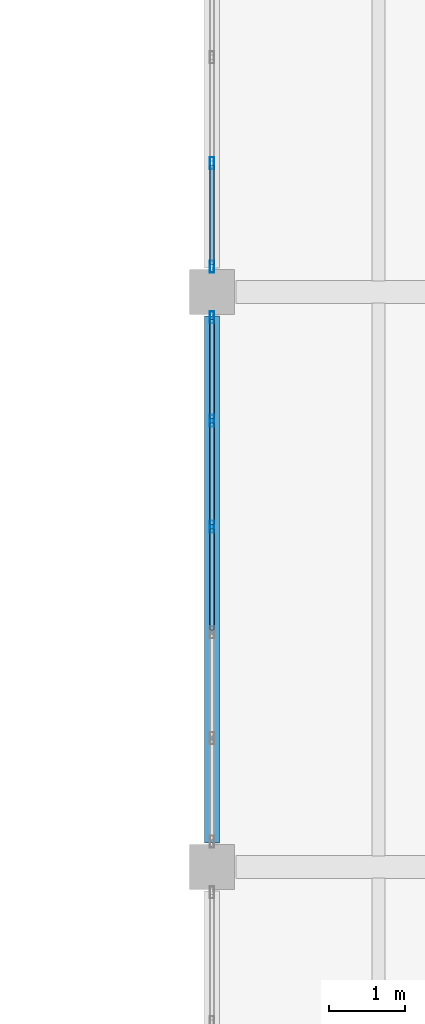
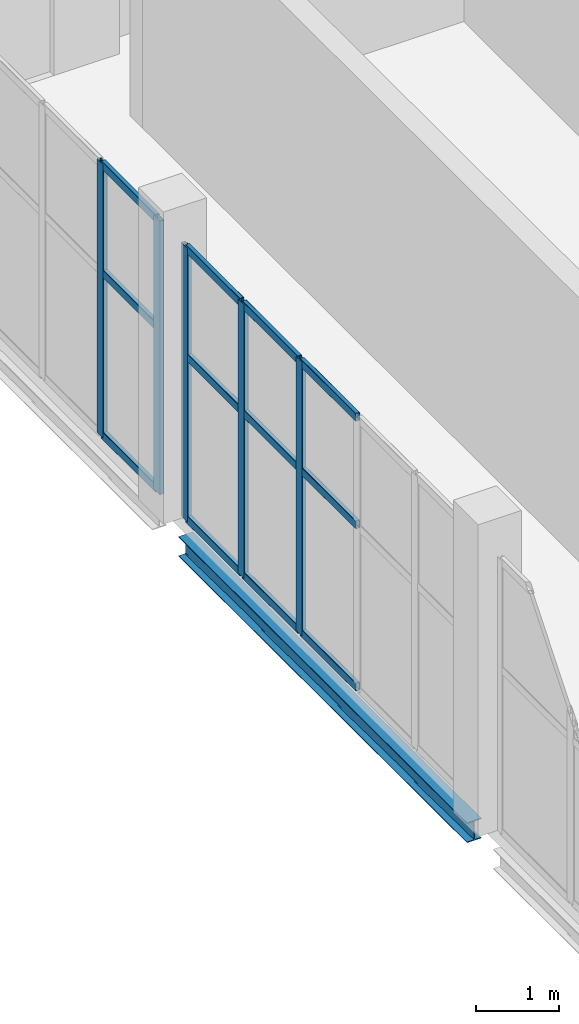
# One storey, part 74 of 136: 17 members, 1 beam, 2 elements without a shape of their own.
"""IFC4 building model written with IfcOpenShell, lengths in metres."""

from ifc_helpers import new_model, si_unit, direction, frame, origin, origin_2d, place, context, subcontext, project, spatial, hollow_rectangle, i_section, extrude, material, material_profile, profile_set, type_object, element, aggregate, save


model = new_model("IFC4")

# Units and contexts
model_context = context("Model", 3, precision=1e-05, world=origin(), true_north=direction((0.0, 1.0)))
body_context = subcontext(model_context, "Body", "Model", "MODEL_VIEW")
ifc_project = project(units=[si_unit("LENGTHUNIT", "METRE"), si_unit("AREAUNIT", "SQUARE_METRE"), si_unit("VOLUMEUNIT", "CUBIC_METRE"), si_unit("PLANEANGLEUNIT", "RADIAN"), si_unit("MASSUNIT", "GRAM", prefix="KILO")], contexts=[model_context])

# Site, building, storey
site_placement = place(None, origin())
site = spatial("IfcSite", under=ifc_project, at=site_placement, CompositionType="ELEMENT")
building_placement = place(site_placement, origin())
building = spatial("IfcBuilding", under=site, at=building_placement, Name="Shengluoqiao Park Theatre", CompositionType="ELEMENT")
storey_placement = place(building_placement, frame((0.0, 0.0, 10.0)))
storey = spatial("IfcBuildingStorey", under=building, at=storey_placement, Name="L02", CompositionType="ELEMENT", Elevation=10.0)

# Curtain wall, members
ifc_material_1 = material(Name="Aluminium 6063-T6", Category="aluminium")
curtain_wall_type = type_object("IfcCurtainWallType", Name="ENV-CW-COURT", PredefinedType="NOTDEFINED", material=ifc_material_1)
curtain_wall_1_placement = place(storey_placement, origin())
curtain_wall_1 = element("IfcCurtainWall", 1, at=curtain_wall_1_placement, inside=storey, type_object=curtain_wall_type, Name="L02 Curtain Wall CWX-L02-0194", PredefinedType="NOTDEFINED")
ifc_material_profile_1 = material_profile(ifc_material_1, hollow_rectangle(XDim=0.06005859375, YDim=0.159912109375, WallThickness=0.00390625, InnerFilletRadius=0.00390625, OuterFilletRadius=0.008056640625, at=origin_2d()), Name="ALU MULLION 160x60x4")
ifc_profile_set_1 = profile_set([ifc_material_profile_1], Name="Aluminium 6063-T6")
member_type_1 = type_object("IfcMemberType", Name="ENV-MUL-160", PredefinedType="MULLION", material=ifc_profile_set_1)
member_1_placement = place(storey_placement, frame((157.199951171875, 42.499267578125, 0.0), z_axis=(0.0, 0.0, 1.0), x_axis=(-1.0, 0.0, 0.0)))
member_1 = element("IfcMember", 2, at=member_1_placement, type_object=member_type_1, Name="CW-05 mullion 4", PredefinedType="MULLION", context=body_context, shape_type="SweptSolid", body=[
    extrude(hollow_rectangle(XDim=0.06005859375, YDim=0.159912109375, WallThickness=0.00390625, InnerFilletRadius=0.00390625, OuterFilletRadius=0.008056640625, at=origin_2d()), origin(), (0.0, 0.0, 1.0), 4.033935546875),
])
member_2_placement = place(storey_placement, frame((157.199951171875, 43.897705078125, 0.0), z_axis=(0.0, 0.0, 1.0), x_axis=(-1.0, 0.0, 0.0)))
member_2 = element("IfcMember", 3, at=member_2_placement, type_object=member_type_1, Name="CW-05 mullion 5", PredefinedType="MULLION", context=body_context, shape_type="SweptSolid", body=[
    extrude(hollow_rectangle(XDim=0.06005859375, YDim=0.159912109375, WallThickness=0.00390625, InnerFilletRadius=0.00390625, OuterFilletRadius=0.008056640625, at=origin_2d()), origin(), (0.0, 0.0, 1.0), 4.033935546875),
])
member_3_placement = place(storey_placement, frame((157.199951171875, 45.26611328125, 0.0), z_axis=(0.0, 0.0, 1.0), x_axis=(-1.0, 0.0, 0.0)))
member_3 = element("IfcMember", 4, at=member_3_placement, type_object=member_type_1, Name="CW-05 mullion 6", PredefinedType="MULLION", context=body_context, shape_type="SweptSolid", body=[
    extrude(hollow_rectangle(XDim=0.06005859375, YDim=0.159912109375, WallThickness=0.00390625, InnerFilletRadius=0.00390625, OuterFilletRadius=0.008056640625, at=origin_2d()), origin(), (0.0, 0.0, 1.0), 4.033935546875),
])

curtain_wall_2_placement = place(storey_placement, origin())
curtain_wall_2 = element("IfcCurtainWall", 5, at=curtain_wall_2_placement, inside=storey, type_object=curtain_wall_type, Name="L02 Curtain Wall CWX-L02-0195", PredefinedType="NOTDEFINED")
member_4_placement = place(storey_placement, frame((157.199951171875, 45.93408203125, 0.0), z_axis=(0.0, 0.0, 1.0), x_axis=(-1.0, 0.0, 0.0)))
member_4 = element("IfcMember", 6, at=member_4_placement, type_object=member_type_1, Name="CW-05 mullion 1", PredefinedType="MULLION", context=body_context, shape_type="SweptSolid", body=[
    extrude(hollow_rectangle(XDim=0.06005859375, YDim=0.159912109375, WallThickness=0.00390625, InnerFilletRadius=0.00390625, OuterFilletRadius=0.008056640625, at=origin_2d()), origin(), (0.0, 0.0, 1.0), 4.033935546875),
])
member_5_placement = place(storey_placement, frame((157.199951171875, 47.302490234375, 0.0), z_axis=(0.0, 0.0, 1.0), x_axis=(-1.0, 0.0, 0.0)))
member_5 = element("IfcMember", 7, at=member_5_placement, type_object=member_type_1, Name="CW-05 mullion 2", PredefinedType="MULLION", context=body_context, shape_type="SweptSolid", body=[
    extrude(hollow_rectangle(XDim=0.06005859375, YDim=0.159912109375, WallThickness=0.00390625, InnerFilletRadius=0.00390625, OuterFilletRadius=0.008056640625, at=origin_2d()), origin(), (0.0, 0.0, 1.0), 4.033935546875),
])

# Member
ifc_material_profile_2 = material_profile(ifc_material_1, hollow_rectangle(XDim=0.06005859375, YDim=0.1201171875, WallThickness=0.00390625, InnerFilletRadius=0.00390625, OuterFilletRadius=0.008056640625, at=origin_2d()), Name="ALU TRANSOM 120x60x4")
ifc_profile_set_2 = profile_set([ifc_material_profile_2], Name="Aluminium 6063-T6")
member_type_2 = type_object("IfcMemberType", Name="ENV-TRN-120", PredefinedType="USERDEFINED", material=ifc_profile_set_2)
member_6_placement = place(storey_placement, frame((157.199951171875, 41.130859375, 0.030029296875), z_axis=(0.0, 1.0, 0.0), x_axis=(-1.0, 0.0, 0.0)))
member_6 = element("IfcMember", 8, at=member_6_placement, type_object=member_type_2, Name="CW-05 transom 3.1", ObjectType="TRANSOM", PredefinedType="USERDEFINED", context=body_context, shape_type="SweptSolid", body=[
    extrude(hollow_rectangle(XDim=0.06005859375, YDim=0.1201171875, WallThickness=0.00390625, InnerFilletRadius=0.00390625, OuterFilletRadius=0.008056640625, at=origin_2d()), origin(), (0.0, 0.0, 1.0), 1.33837890625),
])

member_7_placement = place(storey_placement, frame((157.199951171875, 41.130859375, 2.419921875), z_axis=(0.0, 1.0, 0.0), x_axis=(-1.0, 0.0, 0.0)))
member_7 = element("IfcMember", 9, at=member_7_placement, type_object=member_type_2, Name="CW-05 transom 3.2", ObjectType="TRANSOM", PredefinedType="USERDEFINED", context=body_context, shape_type="SweptSolid", body=[
    extrude(hollow_rectangle(XDim=0.06005859375, YDim=0.1201171875, WallThickness=0.00390625, InnerFilletRadius=0.00390625, OuterFilletRadius=0.008056640625, at=origin_2d()), origin(), (0.0, 0.0, 1.0), 1.33837890625),
])

member_8_placement = place(storey_placement, frame((157.199951171875, 41.130859375, 4.00390625), z_axis=(0.0, 1.0, 0.0), x_axis=(-1.0, 0.0, 0.0)))
member_8 = element("IfcMember", 10, at=member_8_placement, type_object=member_type_2, Name="CW-05 transom 3.3", ObjectType="TRANSOM", PredefinedType="USERDEFINED", context=body_context, shape_type="SweptSolid", body=[
    extrude(hollow_rectangle(XDim=0.06005859375, YDim=0.1201171875, WallThickness=0.00390625, InnerFilletRadius=0.00390625, OuterFilletRadius=0.008056640625, at=origin_2d()), origin(), (0.0, 0.0, 1.0), 1.33837890625),
])

member_9_placement = place(storey_placement, frame((157.199951171875, 42.529296875, 0.030029296875), z_axis=(0.0, 1.0, 0.0), x_axis=(-1.0, 0.0, 0.0)))
member_9 = element("IfcMember", 11, at=member_9_placement, type_object=member_type_2, Name="CW-05 transom 4.1", ObjectType="TRANSOM", PredefinedType="USERDEFINED", context=body_context, shape_type="SweptSolid", body=[
    extrude(hollow_rectangle(XDim=0.06005859375, YDim=0.1201171875, WallThickness=0.00390625, InnerFilletRadius=0.00390625, OuterFilletRadius=0.008056640625, at=origin_2d()), origin(), (0.0, 0.0, 1.0), 1.33837890625),
])

member_10_placement = place(storey_placement, frame((157.199951171875, 42.529296875, 2.419921875), z_axis=(0.0, 1.0, 0.0), x_axis=(-1.0, 0.0, 0.0)))
member_10 = element("IfcMember", 12, at=member_10_placement, type_object=member_type_2, Name="CW-05 transom 4.2", ObjectType="TRANSOM", PredefinedType="USERDEFINED", context=body_context, shape_type="SweptSolid", body=[
    extrude(hollow_rectangle(XDim=0.06005859375, YDim=0.1201171875, WallThickness=0.00390625, InnerFilletRadius=0.00390625, OuterFilletRadius=0.008056640625, at=origin_2d()), origin(), (0.0, 0.0, 1.0), 1.33837890625),
])

member_11_placement = place(storey_placement, frame((157.199951171875, 42.529296875, 4.00390625), z_axis=(0.0, 1.0, 0.0), x_axis=(-1.0, 0.0, 0.0)))
member_11 = element("IfcMember", 13, at=member_11_placement, type_object=member_type_2, Name="CW-05 transom 4.3", ObjectType="TRANSOM", PredefinedType="USERDEFINED", context=body_context, shape_type="SweptSolid", body=[
    extrude(hollow_rectangle(XDim=0.06005859375, YDim=0.1201171875, WallThickness=0.00390625, InnerFilletRadius=0.00390625, OuterFilletRadius=0.008056640625, at=origin_2d()), origin(), (0.0, 0.0, 1.0), 1.33837890625),
])

member_12_placement = place(storey_placement, frame((157.199951171875, 43.927490234375, 0.030029296875), z_axis=(0.0, 1.0, 0.0), x_axis=(-1.0, 0.0, 0.0)))
member_12 = element("IfcMember", 14, at=member_12_placement, type_object=member_type_2, Name="CW-05 transom 5.1", ObjectType="TRANSOM", PredefinedType="USERDEFINED", context=body_context, shape_type="SweptSolid", body=[
    extrude(hollow_rectangle(XDim=0.06005859375, YDim=0.1201171875, WallThickness=0.00390625, InnerFilletRadius=0.00390625, OuterFilletRadius=0.008056640625, at=origin_2d()), origin(), (0.0, 0.0, 1.0), 1.30859375),
])

member_13_placement = place(storey_placement, frame((157.199951171875, 43.927490234375, 2.419921875), z_axis=(0.0, 1.0, 0.0), x_axis=(-1.0, 0.0, 0.0)))
member_13 = element("IfcMember", 15, at=member_13_placement, type_object=member_type_2, Name="CW-05 transom 5.2", ObjectType="TRANSOM", PredefinedType="USERDEFINED", context=body_context, shape_type="SweptSolid", body=[
    extrude(hollow_rectangle(XDim=0.06005859375, YDim=0.1201171875, WallThickness=0.00390625, InnerFilletRadius=0.00390625, OuterFilletRadius=0.008056640625, at=origin_2d()), origin(), (0.0, 0.0, 1.0), 1.30859375),
])

member_14_placement = place(storey_placement, frame((157.199951171875, 43.927490234375, 4.00390625), z_axis=(0.0, 1.0, 0.0), x_axis=(-1.0, 0.0, 0.0)))
member_14 = element("IfcMember", 16, at=member_14_placement, type_object=member_type_2, Name="CW-05 transom 5.3", ObjectType="TRANSOM", PredefinedType="USERDEFINED", context=body_context, shape_type="SweptSolid", body=[
    extrude(hollow_rectangle(XDim=0.06005859375, YDim=0.1201171875, WallThickness=0.00390625, InnerFilletRadius=0.00390625, OuterFilletRadius=0.008056640625, at=origin_2d()), origin(), (0.0, 0.0, 1.0), 1.30859375),
])

aggregate(curtain_wall_1, [member_1, member_2, member_3, member_6, member_7, member_8, member_9, member_10, member_11, member_12, member_13, member_14])

member_15_placement = place(storey_placement, frame((157.199951171875, 45.964111328125, 0.030029296875), z_axis=(0.0, 1.0, 0.0), x_axis=(-1.0, 0.0, 0.0)))
member_15 = element("IfcMember", 17, at=member_15_placement, type_object=member_type_2, Name="CW-05 transom 1.1", ObjectType="TRANSOM", PredefinedType="USERDEFINED", context=body_context, shape_type="SweptSolid", body=[
    extrude(hollow_rectangle(XDim=0.06005859375, YDim=0.1201171875, WallThickness=0.00390625, InnerFilletRadius=0.00390625, OuterFilletRadius=0.008056640625, at=origin_2d()), origin(), (0.0, 0.0, 1.0), 1.308349609375),
])

member_16_placement = place(storey_placement, frame((157.199951171875, 45.964111328125, 2.419921875), z_axis=(0.0, 1.0, 0.0), x_axis=(-1.0, 0.0, 0.0)))
member_16 = element("IfcMember", 18, at=member_16_placement, type_object=member_type_2, Name="CW-05 transom 1.2", ObjectType="TRANSOM", PredefinedType="USERDEFINED", context=body_context, shape_type="SweptSolid", body=[
    extrude(hollow_rectangle(XDim=0.06005859375, YDim=0.1201171875, WallThickness=0.00390625, InnerFilletRadius=0.00390625, OuterFilletRadius=0.008056640625, at=origin_2d()), origin(), (0.0, 0.0, 1.0), 1.308349609375),
])

member_17_placement = place(storey_placement, frame((157.199951171875, 45.964111328125, 4.00390625), z_axis=(0.0, 1.0, 0.0), x_axis=(-1.0, 0.0, 0.0)))
member_17 = element("IfcMember", 19, at=member_17_placement, type_object=member_type_2, Name="CW-05 transom 1.3", ObjectType="TRANSOM", PredefinedType="USERDEFINED", context=body_context, shape_type="SweptSolid", body=[
    extrude(hollow_rectangle(XDim=0.06005859375, YDim=0.1201171875, WallThickness=0.00390625, InnerFilletRadius=0.00390625, OuterFilletRadius=0.008056640625, at=origin_2d()), origin(), (0.0, 0.0, 1.0), 1.308349609375),
])

aggregate(curtain_wall_2, [member_4, member_5, member_15, member_16, member_17])

# Beam
ifc_material_2 = material(Name="Steel Q355", Category="steel")
ifc_material_profile_3 = material_profile(ifc_material_2, i_section(OverallWidth=0.199951171875, OverallDepth=0.2939453125, WebThickness=0.008056640625, FlangeThickness=0.011962890625, FilletRadius=0.01611328125, at=origin_2d()), Name="HM 294x200x8x12")
ifc_profile_set_3 = profile_set([ifc_material_profile_3], Name="Steel Q355")
beam_type = type_object("IfcBeamType", Name="STR-BM-G-HM294", PredefinedType="BEAM", material=ifc_profile_set_3)
beam_placement = place(storey_placement, frame((157.199951171875, 38.319091796875, -0.386962890625), z_axis=(0.0, 1.0, 0.0), x_axis=(-1.0, 0.0, 0.0)))
element("IfcBeam", 20, at=beam_placement, inside=storey, type_object=beam_type, Name="L02 Transverse Girder 01154", PredefinedType="BEAM", context=body_context, shape_type="SweptSolid", body=[
    extrude(i_section(OverallWidth=0.199951171875, OverallDepth=0.2939453125, WebThickness=0.008056640625, FlangeThickness=0.011962890625, FilletRadius=0.01611328125, at=origin_2d()), origin(), (0.0, 0.0, 1.0), 6.9619140625),
])

save(model, "model.ifc")
